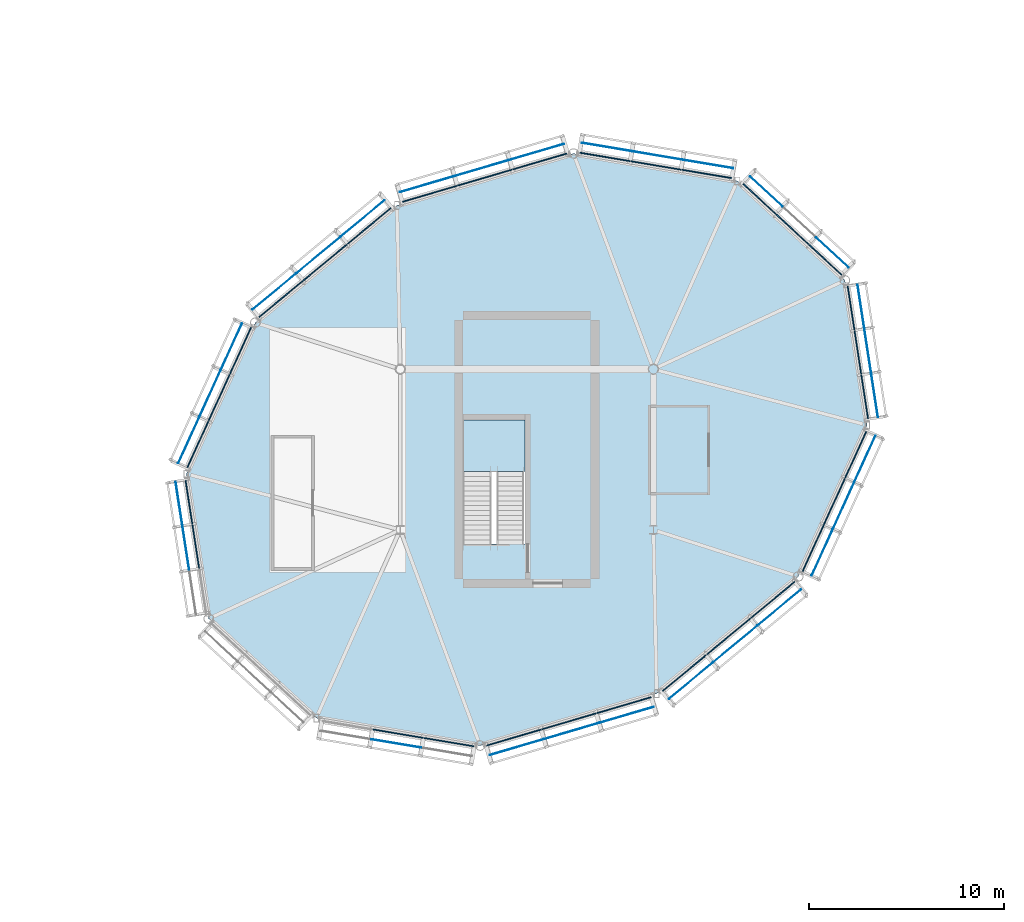
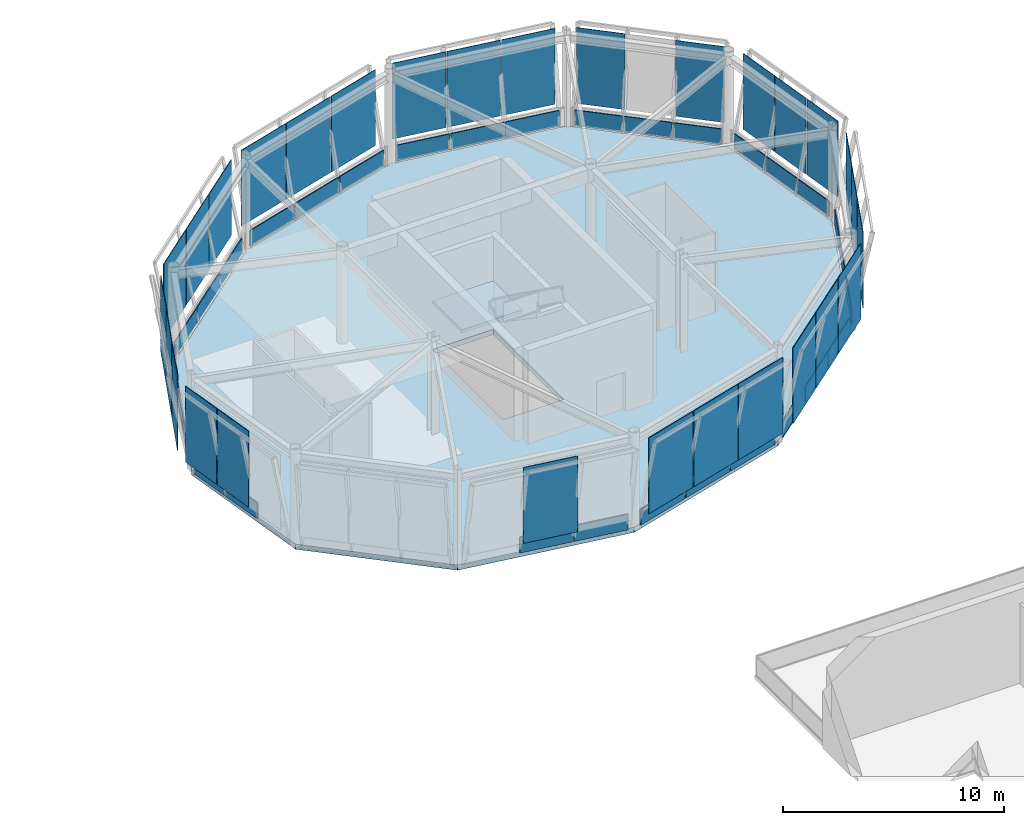
# One storey, part 65 of 90: 60 plates, 2 slabs, 12 elements without a shape of their own.
"""IFC4 building model written with IfcOpenShell, lengths in metres."""

from ifc_helpers import new_model, si_unit, direction, frame, origin, origin_2d, place, context, subcontext, project, spatial, polyline, rectangle, outline, extrude, material, layer, layer_set, type_object, element, aggregate, save


model = new_model("IFC4")

# Units and contexts
model_context = context("Model", 3, precision=1e-05, world=origin(), true_north=direction((0.0, 1.0)))
body_context = subcontext(model_context, "Body", "Model", "MODEL_VIEW")
ifc_project = project(units=[si_unit("LENGTHUNIT", "METRE"), si_unit("AREAUNIT", "SQUARE_METRE"), si_unit("VOLUMEUNIT", "CUBIC_METRE"), si_unit("PLANEANGLEUNIT", "RADIAN"), si_unit("MASSUNIT", "GRAM", prefix="KILO")], contexts=[model_context])

# Site, building, storey
site_placement = place(None, origin())
site = spatial("IfcSite", under=ifc_project, at=site_placement, CompositionType="ELEMENT")
building_placement = place(site_placement, origin())
building = spatial("IfcBuilding", under=site, at=building_placement, Name="Linyun Crest Stadium", CompositionType="ELEMENT")
storey_placement = place(building_placement, frame((0.0, 0.0, 21.0)))
storey = spatial("IfcBuildingStorey", under=building, at=storey_placement, Name="L05", CompositionType="ELEMENT", Elevation=21.0)

# Slab
ifc_material_1 = material(Name="Concrete C40", Category="concrete")
ifc_layer_1 = layer(ifc_material_1, 0.280029296875)
ifc_layer_set_1 = layer_set([ifc_layer_1], Name="Concrete C40")
slab_type_1 = type_object("IfcSlabType", Name="FS05", PredefinedType="FLOOR", material=ifc_layer_set_1)
slab_1_placement = place(storey_placement, frame((0.0, 0.0, -0.280029296875)))
element("IfcSlab", 1, at=slab_1_placement, inside=storey, type_object=slab_type_1, Name="Slab FS05 V5 L05 59", PredefinedType="FLOOR", context=body_context, shape_type="SweptSolid", body=[
    extrude(outline(polyline([(89.8349609375, 93.31005859375), (84.31298828125, 98.416015625), (75.89404296875, 99.825927734375), (66.833984375, 97.1630859375), (59.55908203125, 91.139892578125), (56.02099609375, 83.3720703125), (57.1650390625, 75.93994140625), (62.68701171875, 70.833984375), (71.10595703125, 69.424072265625), (80.166015625, 72.0869140625), (87.44091796875, 78.110107421875), (90.97900390625, 85.8779296875), (89.8349609375, 93.31005859375)]), holes=[polyline([(70.22509765625, 79.77001953125), (70.22509765625, 86.14990234375), (73.39990234375, 86.14990234375), (73.39990234375, 79.77001953125), (70.22509765625, 79.77001953125)])]), origin(), (0.0, 0.0, 1.0), 0.280029296875),
])

# Curtain wall, plates
ifc_material_2 = material(Name="Verdigris steel and low-E curtain wall assembly", Category="steel")
curtain_wall_type = type_object("IfcCurtainWallType", Name="MCW04", PredefinedType="NOTDEFINED", material=ifc_material_2)
curtain_wall_1_placement = place(storey_placement, origin())
curtain_wall_1 = element("IfcCurtainWall", 2, at=curtain_wall_1_placement, inside=storey, type_object=curtain_wall_type, Name="CWR-049", PredefinedType="NOTDEFINED")
ifc_material_3 = material(Name="Acoustic laminated low-E broadcast glass", Category="glass")
ifc_layer_2 = layer(ifc_material_3, 0.030029296875)
ifc_layer_set_2 = layer_set([ifc_layer_2], Name="Acoustic laminated low-E broadcast glass")
plate_type_1 = type_object("IfcPlateType", Name="GP02", PredefinedType="CURTAIN_PANEL", material=ifc_layer_set_2)
plate_1_placement = place(storey_placement, frame((89.179931640625, 94.741943359375, 0.88232421875), z_axis=(0.0, 0.0, 1.0), x_axis=(-0.734298814372, 0.678826377811, 0.0)))
plate_1 = element("IfcPlate", 3, at=plate_1_placement, type_object=plate_type_1, Name="CWR-049 panel 1.2", PredefinedType="CURTAIN_PANEL", context=body_context, shape_type="SweptSolid", body=[
    extrude(rectangle(XDim=2.2568359375, YDim=0.030029296875, at=origin_2d()), origin(), (0.0, 0.0, 1.0), 4.1953125),
])
plate_2_placement = place(storey_placement, frame((85.7919921875, 97.8740234375, 0.88232421875), z_axis=(0.0, 0.0, 1.0), x_axis=(-0.734298814372, 0.678826377811, 0.0)))
plate_2 = element("IfcPlate", 4, at=plate_2_placement, type_object=plate_type_1, Name="CWR-049 panel 3.2", PredefinedType="CURTAIN_PANEL", context=body_context, shape_type="SweptSolid", body=[
    extrude(rectangle(XDim=2.2568359375, YDim=0.030029296875, at=origin_2d()), origin(), (0.0, 0.0, 1.0), 4.1953125),
])

curtain_wall_2_placement = place(storey_placement, origin())
curtain_wall_2 = element("IfcCurtainWall", 5, at=curtain_wall_2_placement, inside=storey, type_object=curtain_wall_type, Name="CWR-050", PredefinedType="NOTDEFINED")
plate_3_placement = place(storey_placement, frame((82.81298828125, 99.281982421875, 0.88232421875), z_axis=(0.0, 0.0, 1.0), x_axis=(-0.986282720763, 0.165064819767, 0.0)))
plate_3 = element("IfcPlate", 6, at=plate_3_placement, type_object=plate_type_1, Name="CWR-050 panel 1.2", PredefinedType="CURTAIN_PANEL", context=body_context, shape_type="SweptSolid", body=[
    extrude(rectangle(XDim=2.59521484375, YDim=0.030029296875, at=origin_2d()), origin(), (0.0, 0.0, 1.0), 4.1953125),
])
plate_4_placement = place(storey_placement, frame((80.2041015625, 99.718994140625, 0.88232421875), z_axis=(0.0, 0.0, 1.0), x_axis=(-0.986282720763, 0.165064819767, 0.0)))
plate_4 = element("IfcPlate", 7, at=plate_4_placement, type_object=plate_type_1, Name="CWR-050 panel 2.2", PredefinedType="CURTAIN_PANEL", context=body_context, shape_type="SweptSolid", body=[
    extrude(rectangle(XDim=2.59521484375, YDim=0.030029296875, at=origin_2d()), origin(), (0.0, 0.0, 1.0), 4.1953125),
])
plate_5_placement = place(storey_placement, frame((77.594970703125, 100.156005859375, 0.88232421875), z_axis=(0.0, 0.0, 1.0), x_axis=(-0.986282720763, 0.165064819767, 0.0)))
plate_5 = element("IfcPlate", 8, at=plate_5_placement, type_object=plate_type_1, Name="CWR-050 panel 3.2", PredefinedType="CURTAIN_PANEL", context=body_context, shape_type="SweptSolid", body=[
    extrude(rectangle(XDim=2.59521484375, YDim=0.030029296875, at=origin_2d()), origin(), (0.0, 0.0, 1.0), 4.1953125),
])

curtain_wall_3_placement = place(storey_placement, origin())
curtain_wall_3 = element("IfcCurtainWall", 9, at=curtain_wall_3_placement, inside=storey, type_object=curtain_wall_type, Name="CWR-051", PredefinedType="NOTDEFINED")
plate_6_placement = place(storey_placement, frame((74.02099609375, 99.906982421875, 0.88232421875), z_axis=(0.0, 0.0, 1.0), x_axis=(-0.959437077917, -0.281922850294, 0.0)))
plate_6 = element("IfcPlate", 10, at=plate_6_placement, type_object=plate_type_1, Name="CWR-051 panel 1.2", PredefinedType="CURTAIN_PANEL", context=body_context, shape_type="SweptSolid", body=[
    extrude(rectangle(XDim=2.897705078125, YDim=0.030029296875, at=origin_2d()), origin(), (0.0, 0.0, 1.0), 4.1953125),
])
plate_7_placement = place(storey_placement, frame((71.193115234375, 99.075927734375, 0.88232421875), z_axis=(0.0, 0.0, 1.0), x_axis=(-0.959437077917, -0.281922850294, 0.0)))
plate_7 = element("IfcPlate", 11, at=plate_7_placement, type_object=plate_type_1, Name="CWR-051 panel 2.2", PredefinedType="CURTAIN_PANEL", context=body_context, shape_type="SweptSolid", body=[
    extrude(rectangle(XDim=2.897705078125, YDim=0.030029296875, at=origin_2d()), origin(), (0.0, 0.0, 1.0), 4.1953125),
])
plate_8_placement = place(storey_placement, frame((68.364990234375, 98.2451171875, 0.88232421875), z_axis=(0.0, 0.0, 1.0), x_axis=(-0.959437077917, -0.281922850294, 0.0)))
plate_8 = element("IfcPlate", 12, at=plate_8_placement, type_object=plate_type_1, Name="CWR-051 panel 3.2", PredefinedType="CURTAIN_PANEL", context=body_context, shape_type="SweptSolid", body=[
    extrude(rectangle(XDim=2.897705078125, YDim=0.030029296875, at=origin_2d()), origin(), (0.0, 0.0, 1.0), 4.1953125),
])

curtain_wall_4_placement = place(storey_placement, origin())
curtain_wall_4 = element("IfcCurtainWall", 13, at=curtain_wall_4_placement, inside=storey, type_object=curtain_wall_type, Name="CWR-052", PredefinedType="NOTDEFINED")
plate_9_placement = place(storey_placement, frame((65.0810546875, 96.4990234375, 0.88232421875), z_axis=(0.0, 0.0, 1.0), x_axis=(-0.77024617165, -0.637746685651, 0.0)))
plate_9 = element("IfcPlate", 14, at=plate_9_placement, type_object=plate_type_1, Name="CWR-052 panel 1.2", PredefinedType="CURTAIN_PANEL", context=body_context, shape_type="SweptSolid", body=[
    extrude(rectangle(XDim=2.8984375, YDim=0.030029296875, at=origin_2d()), origin(), (0.0, 0.0, 1.0), 4.1953125),
])
plate_10_placement = place(storey_placement, frame((62.81005859375, 94.617919921875, 0.88232421875), z_axis=(0.0, 0.0, 1.0), x_axis=(-0.77024617165, -0.637746685651, 0.0)))
plate_10 = element("IfcPlate", 15, at=plate_10_placement, type_object=plate_type_1, Name="CWR-052 panel 2.2", PredefinedType="CURTAIN_PANEL", context=body_context, shape_type="SweptSolid", body=[
    extrude(rectangle(XDim=2.8984375, YDim=0.030029296875, at=origin_2d()), origin(), (0.0, 0.0, 1.0), 4.1953125),
])
plate_11_placement = place(storey_placement, frame((60.5390625, 92.738037109375, 0.88232421875), z_axis=(0.0, 0.0, 1.0), x_axis=(-0.77024617165, -0.637746685651, 0.0)))
plate_11 = element("IfcPlate", 16, at=plate_11_placement, type_object=plate_type_1, Name="CWR-052 panel 3.2", PredefinedType="CURTAIN_PANEL", context=body_context, shape_type="SweptSolid", body=[
    extrude(rectangle(XDim=2.8984375, YDim=0.030029296875, at=origin_2d()), origin(), (0.0, 0.0, 1.0), 4.1953125),
])

curtain_wall_5_placement = place(storey_placement, origin())
curtain_wall_5 = element("IfcCurtainWall", 17, at=curtain_wall_5_placement, inside=storey, type_object=curtain_wall_type, Name="CWR-053", PredefinedType="NOTDEFINED")
plate_12_placement = place(storey_placement, frame((58.3349609375, 89.9150390625, 0.88232421875), z_axis=(0.0, 0.0, 1.0), x_axis=(-0.414566184052, -0.910019164106, 0.0)))
plate_12 = element("IfcPlate", 18, at=plate_12_placement, type_object=plate_type_1, Name="CWR-053 panel 1.2", PredefinedType="CURTAIN_PANEL", context=body_context, shape_type="SweptSolid", body=[
    extrude(rectangle(XDim=2.595458984375, YDim=0.030029296875, at=origin_2d()), origin(), (0.0, 0.0, 1.0), 4.1953125),
])
plate_13_placement = place(storey_placement, frame((57.238037109375, 87.507080078125, 0.88232421875), z_axis=(0.0, 0.0, 1.0), x_axis=(-0.414566184052, -0.910019164106, 0.0)))
plate_13 = element("IfcPlate", 19, at=plate_13_placement, type_object=plate_type_1, Name="CWR-053 panel 2.2", PredefinedType="CURTAIN_PANEL", context=body_context, shape_type="SweptSolid", body=[
    extrude(rectangle(XDim=2.595458984375, YDim=0.030029296875, at=origin_2d()), origin(), (0.0, 0.0, 1.0), 4.1953125),
])
plate_14_placement = place(storey_placement, frame((56.14208984375, 85.10009765625, 0.88232421875), z_axis=(0.0, 0.0, 1.0), x_axis=(-0.414566184052, -0.910019164106, 0.0)))
plate_14 = element("IfcPlate", 20, at=plate_14_placement, type_object=plate_type_1, Name="CWR-053 panel 3.2", PredefinedType="CURTAIN_PANEL", context=body_context, shape_type="SweptSolid", body=[
    extrude(rectangle(XDim=2.595458984375, YDim=0.030029296875, at=origin_2d()), origin(), (0.0, 0.0, 1.0), 4.1953125),
])

curtain_wall_6_placement = place(storey_placement, origin())
curtain_wall_6 = element("IfcCurtainWall", 21, at=curtain_wall_6_placement, inside=storey, type_object=curtain_wall_type, Name="CWR-054", PredefinedType="NOTDEFINED")
plate_15_placement = place(storey_placement, frame((55.64306640625, 81.843017578125, 0.88232421875), z_axis=(0.0, 0.0, 1.0), x_axis=(0.152054385169, -0.988372128275, 0.0)))
plate_15 = element("IfcPlate", 22, at=plate_15_placement, type_object=plate_type_1, Name="CWR-054 panel 1.2", PredefinedType="CURTAIN_PANEL", context=body_context, shape_type="SweptSolid", body=[
    extrude(rectangle(XDim=2.256103515625, YDim=0.030029296875, at=origin_2d()), origin(), (0.0, 0.0, 1.0), 4.1953125),
])
plate_16_placement = place(storey_placement, frame((55.993896484375, 79.56396484375, 0.88232421875), z_axis=(0.0, 0.0, 1.0), x_axis=(0.152054385169, -0.988372128275, 0.0)))
plate_16 = element("IfcPlate", 23, at=plate_16_placement, type_object=plate_type_1, Name="CWR-054 panel 2.2", PredefinedType="CURTAIN_PANEL", context=body_context, shape_type="SweptSolid", body=[
    extrude(rectangle(XDim=2.256103515625, YDim=0.030029296875, at=origin_2d()), origin(), (0.0, 0.0, 1.0), 4.1953125),
])

# Curtain wall, plate
curtain_wall_7_placement = place(storey_placement, origin())
curtain_wall_7 = element("IfcCurtainWall", 24, at=curtain_wall_7_placement, inside=storey, type_object=curtain_wall_type, Name="CWR-056", PredefinedType="NOTDEFINED")
plate_17_placement = place(storey_placement, frame((66.7958984375, 69.531005859375, 0.88232421875), z_axis=(0.0, 0.0, 1.0), x_axis=(0.986282720763, -0.165064819767, 0.0)))
plate_17 = element("IfcPlate", 25, at=plate_17_placement, type_object=plate_type_1, Name="CWR-056 panel 2.2", PredefinedType="CURTAIN_PANEL", context=body_context, shape_type="SweptSolid", body=[
    extrude(rectangle(XDim=2.59521484375, YDim=0.030029296875, at=origin_2d()), origin(), (0.0, 0.0, 1.0), 4.1953125),
])

# Curtain wall, plates
curtain_wall_8_placement = place(storey_placement, origin())
curtain_wall_8 = element("IfcCurtainWall", 26, at=curtain_wall_8_placement, inside=storey, type_object=curtain_wall_type, Name="CWR-057", PredefinedType="NOTDEFINED")
plate_18_placement = place(storey_placement, frame((72.97900390625, 69.343017578125, 0.88232421875), z_axis=(0.0, 0.0, 1.0), x_axis=(0.959437077917, 0.281922850294, 0.0)))
plate_18 = element("IfcPlate", 27, at=plate_18_placement, type_object=plate_type_1, Name="CWR-057 panel 1.2", PredefinedType="CURTAIN_PANEL", context=body_context, shape_type="SweptSolid", body=[
    extrude(rectangle(XDim=2.897705078125, YDim=0.030029296875, at=origin_2d()), origin(), (0.0, 0.0, 1.0), 4.1953125),
])
plate_19_placement = place(storey_placement, frame((75.806884765625, 70.174072265625, 0.88232421875), z_axis=(0.0, 0.0, 1.0), x_axis=(0.959437077917, 0.281922850294, 0.0)))
plate_19 = element("IfcPlate", 28, at=plate_19_placement, type_object=plate_type_1, Name="CWR-057 panel 2.2", PredefinedType="CURTAIN_PANEL", context=body_context, shape_type="SweptSolid", body=[
    extrude(rectangle(XDim=2.897705078125, YDim=0.030029296875, at=origin_2d()), origin(), (0.0, 0.0, 1.0), 4.1953125),
])
plate_20_placement = place(storey_placement, frame((78.635009765625, 71.0048828125, 0.88232421875), z_axis=(0.0, 0.0, 1.0), x_axis=(0.959437077917, 0.281922850294, 0.0)))
plate_20 = element("IfcPlate", 29, at=plate_20_placement, type_object=plate_type_1, Name="CWR-057 panel 3.2", PredefinedType="CURTAIN_PANEL", context=body_context, shape_type="SweptSolid", body=[
    extrude(rectangle(XDim=2.897705078125, YDim=0.030029296875, at=origin_2d()), origin(), (0.0, 0.0, 1.0), 4.1953125),
])

curtain_wall_9_placement = place(storey_placement, origin())
curtain_wall_9 = element("IfcCurtainWall", 30, at=curtain_wall_9_placement, inside=storey, type_object=curtain_wall_type, Name="CWR-058", PredefinedType="NOTDEFINED")
plate_21_placement = place(storey_placement, frame((81.9189453125, 72.7509765625, 0.88232421875), z_axis=(0.0, 0.0, 1.0), x_axis=(0.77024617165, 0.637746685651, 0.0)))
plate_21 = element("IfcPlate", 31, at=plate_21_placement, type_object=plate_type_1, Name="CWR-058 panel 1.2", PredefinedType="CURTAIN_PANEL", context=body_context, shape_type="SweptSolid", body=[
    extrude(rectangle(XDim=2.8984375, YDim=0.030029296875, at=origin_2d()), origin(), (0.0, 0.0, 1.0), 4.1953125),
])
plate_22_placement = place(storey_placement, frame((84.18994140625, 74.632080078125, 0.88232421875), z_axis=(0.0, 0.0, 1.0), x_axis=(0.77024617165, 0.637746685651, 0.0)))
plate_22 = element("IfcPlate", 32, at=plate_22_placement, type_object=plate_type_1, Name="CWR-058 panel 2.2", PredefinedType="CURTAIN_PANEL", context=body_context, shape_type="SweptSolid", body=[
    extrude(rectangle(XDim=2.8984375, YDim=0.030029296875, at=origin_2d()), origin(), (0.0, 0.0, 1.0), 4.1953125),
])
plate_23_placement = place(storey_placement, frame((86.4609375, 76.511962890625, 0.88232421875), z_axis=(0.0, 0.0, 1.0), x_axis=(0.77024617165, 0.637746685651, 0.0)))
plate_23 = element("IfcPlate", 33, at=plate_23_placement, type_object=plate_type_1, Name="CWR-058 panel 3.2", PredefinedType="CURTAIN_PANEL", context=body_context, shape_type="SweptSolid", body=[
    extrude(rectangle(XDim=2.8984375, YDim=0.030029296875, at=origin_2d()), origin(), (0.0, 0.0, 1.0), 4.1953125),
])

curtain_wall_10_placement = place(storey_placement, origin())
curtain_wall_10 = element("IfcCurtainWall", 34, at=curtain_wall_10_placement, inside=storey, type_object=curtain_wall_type, Name="CWR-059", PredefinedType="NOTDEFINED")
plate_24_placement = place(storey_placement, frame((88.6650390625, 79.3349609375, 0.88232421875), z_axis=(0.0, 0.0, 1.0), x_axis=(0.414566184052, 0.910019164106, 0.0)))
plate_24 = element("IfcPlate", 35, at=plate_24_placement, type_object=plate_type_1, Name="CWR-059 panel 1.2", PredefinedType="CURTAIN_PANEL", context=body_context, shape_type="SweptSolid", body=[
    extrude(rectangle(XDim=2.595458984375, YDim=0.030029296875, at=origin_2d()), origin(), (0.0, 0.0, 1.0), 4.1953125),
])
plate_25_placement = place(storey_placement, frame((89.761962890625, 81.742919921875, 0.88232421875), z_axis=(0.0, 0.0, 1.0), x_axis=(0.414566184052, 0.910019164106, 0.0)))
plate_25 = element("IfcPlate", 36, at=plate_25_placement, type_object=plate_type_1, Name="CWR-059 panel 2.2", PredefinedType="CURTAIN_PANEL", context=body_context, shape_type="SweptSolid", body=[
    extrude(rectangle(XDim=2.595458984375, YDim=0.030029296875, at=origin_2d()), origin(), (0.0, 0.0, 1.0), 4.1953125),
])
plate_26_placement = place(storey_placement, frame((90.85791015625, 84.14990234375, 0.88232421875), z_axis=(0.0, 0.0, 1.0), x_axis=(0.414566184052, 0.910019164106, 0.0)))
plate_26 = element("IfcPlate", 37, at=plate_26_placement, type_object=plate_type_1, Name="CWR-059 panel 3.2", PredefinedType="CURTAIN_PANEL", context=body_context, shape_type="SweptSolid", body=[
    extrude(rectangle(XDim=2.595458984375, YDim=0.030029296875, at=origin_2d()), origin(), (0.0, 0.0, 1.0), 4.1953125),
])

curtain_wall_11_placement = place(storey_placement, origin())
curtain_wall_11 = element("IfcCurtainWall", 38, at=curtain_wall_11_placement, inside=storey, type_object=curtain_wall_type, Name="CWR-060", PredefinedType="NOTDEFINED")
plate_27_placement = place(storey_placement, frame((91.35693359375, 87.406982421875, 0.88232421875), z_axis=(0.0, 0.0, 1.0), x_axis=(-0.152054385169, 0.988372128275, 0.0)))
plate_27 = element("IfcPlate", 39, at=plate_27_placement, type_object=plate_type_1, Name="CWR-060 panel 1.2", PredefinedType="CURTAIN_PANEL", context=body_context, shape_type="SweptSolid", body=[
    extrude(rectangle(XDim=2.256103515625, YDim=0.030029296875, at=origin_2d()), origin(), (0.0, 0.0, 1.0), 4.1953125),
])
plate_28_placement = place(storey_placement, frame((91.006103515625, 89.68603515625, 0.88232421875), z_axis=(0.0, 0.0, 1.0), x_axis=(-0.152054385169, 0.988372128275, 0.0)))
plate_28 = element("IfcPlate", 40, at=plate_28_placement, type_object=plate_type_1, Name="CWR-060 panel 2.2", PredefinedType="CURTAIN_PANEL", context=body_context, shape_type="SweptSolid", body=[
    extrude(rectangle(XDim=2.256103515625, YDim=0.030029296875, at=origin_2d()), origin(), (0.0, 0.0, 1.0), 4.1953125),
])
plate_29_placement = place(storey_placement, frame((90.656005859375, 91.966064453125, 0.88232421875), z_axis=(0.0, 0.0, 1.0), x_axis=(-0.152054385169, 0.988372128275, 0.0)))
plate_29 = element("IfcPlate", 41, at=plate_29_placement, type_object=plate_type_1, Name="CWR-060 panel 3.2", PredefinedType="CURTAIN_PANEL", context=body_context, shape_type="SweptSolid", body=[
    extrude(rectangle(XDim=2.256103515625, YDim=0.030029296875, at=origin_2d()), origin(), (0.0, 0.0, 1.0), 4.1953125),
])

# Stair, slab
ifc_material_4 = material(Name="Concrete C40", Category="concrete")
stair_type = type_object("IfcStairType", Name="STA02", PredefinedType="HALF_TURN_STAIR", material=ifc_material_4)
stair_placement = place(storey_placement, origin())
stair = element("IfcStair", 42, at=stair_placement, inside=storey, type_object=stair_type, Name="Evacuation stair STR-12-L05", PredefinedType="HALF_TURN_STAIR")
ifc_material_5 = material(Name="Concrete C40", Category="concrete")
ifc_layer_3 = layer(ifc_material_5, 0.179931640625)
ifc_layer_set_3 = layer_set([ifc_layer_3], Name="Concrete C40")
slab_type_2 = type_object("IfcSlabType", Name="LS01", PredefinedType="LANDING", material=ifc_layer_set_3)
slab_2_placement = place(storey_placement, frame((0.0, 0.0, 2.52001953125)))
slab_2 = element("IfcSlab", 43, at=slab_2_placement, type_object=slab_type_2, Name="STR-12-L05 half-landing", PredefinedType="LANDING", context=body_context, shape_type="SweptSolid", body=[
    extrude(outline(polyline([(70.22509765625, 83.489990234375), (73.39990234375, 83.489990234375), (73.39990234375, 86.14990234375), (70.22509765625, 86.14990234375), (70.22509765625, 83.489990234375)])), origin(), (0.0, 0.0, 1.0), 0.179931640625),
])
aggregate(stair, [slab_2])

# Plate
ifc_material_6 = material(Name="Verdigris enamelled metal insulated spandrel")
ifc_layer_4 = layer(ifc_material_6, 0.053955078125)
ifc_layer_set_4 = layer_set([ifc_layer_4], Name="Verdigris enamelled metal insulated spandrel")
plate_type_2 = type_object("IfcPlateType", Name="SP03", PredefinedType="SHEET", material=ifc_layer_set_4)
plate_30_placement = place(storey_placement, frame((88.830078125, 94.364013671875, 0.015625), z_axis=(0.0, 0.0, 1.0), x_axis=(-0.734298814372, 0.678826377811, 0.0)))
plate_30 = element("IfcPlate", 44, at=plate_30_placement, type_object=plate_type_2, Name="CWR-049 panel 1.1", PredefinedType="SHEET", context=body_context, shape_type="SweptSolid", body=[
    extrude(rectangle(XDim=2.2568359375, YDim=0.053955078125, at=origin_2d()), origin(), (0.0, 0.0, 1.0), 0.868408203125),
])

plate_31_placement = place(storey_placement, frame((87.135986328125, 95.929931640625, 0.015625), z_axis=(0.0, 0.0, 1.0), x_axis=(-0.734298814372, 0.678826377811, 0.0)))
plate_31 = element("IfcPlate", 45, at=plate_31_placement, type_object=plate_type_2, Name="CWR-049 panel 2.1", PredefinedType="SHEET", context=body_context, shape_type="SweptSolid", body=[
    extrude(rectangle(XDim=2.2568359375, YDim=0.053955078125, at=origin_2d()), origin(), (0.0, 0.0, 1.0), 0.868408203125),
])

plate_32_placement = place(storey_placement, frame((85.44189453125, 97.49609375, 0.015625), z_axis=(0.0, 0.0, 1.0), x_axis=(-0.734298814372, 0.678826377811, 0.0)))
plate_32 = element("IfcPlate", 46, at=plate_32_placement, type_object=plate_type_2, Name="CWR-049 panel 3.1", PredefinedType="SHEET", context=body_context, shape_type="SweptSolid", body=[
    extrude(rectangle(XDim=2.2568359375, YDim=0.053955078125, at=origin_2d()), origin(), (0.0, 0.0, 1.0), 0.868408203125),
])

aggregate(curtain_wall_1, [plate_30, plate_1, plate_31, plate_32, plate_2])

plate_33_placement = place(storey_placement, frame((82.72802734375, 98.77490234375, 0.015625), z_axis=(0.0, 0.0, 1.0), x_axis=(-0.986282720763, 0.165064819767, 0.0)))
plate_33 = element("IfcPlate", 47, at=plate_33_placement, type_object=plate_type_2, Name="CWR-050 panel 1.1", PredefinedType="SHEET", context=body_context, shape_type="SweptSolid", body=[
    extrude(rectangle(XDim=2.59521484375, YDim=0.053955078125, at=origin_2d()), origin(), (0.0, 0.0, 1.0), 0.868408203125),
])

plate_34_placement = place(storey_placement, frame((80.118896484375, 99.2109375, 0.015625), z_axis=(0.0, 0.0, 1.0), x_axis=(-0.986282720763, 0.165064819767, 0.0)))
plate_34 = element("IfcPlate", 48, at=plate_34_placement, type_object=plate_type_2, Name="CWR-050 panel 2.1", PredefinedType="SHEET", context=body_context, shape_type="SweptSolid", body=[
    extrude(rectangle(XDim=2.59521484375, YDim=0.053955078125, at=origin_2d()), origin(), (0.0, 0.0, 1.0), 0.868408203125),
])

plate_35_placement = place(storey_placement, frame((77.510009765625, 99.64794921875, 0.015625), z_axis=(0.0, 0.0, 1.0), x_axis=(-0.986282720763, 0.165064819767, 0.0)))
plate_35 = element("IfcPlate", 49, at=plate_35_placement, type_object=plate_type_2, Name="CWR-050 panel 3.1", PredefinedType="SHEET", context=body_context, shape_type="SweptSolid", body=[
    extrude(rectangle(XDim=2.59521484375, YDim=0.053955078125, at=origin_2d()), origin(), (0.0, 0.0, 1.0), 0.868408203125),
])

aggregate(curtain_wall_2, [plate_33, plate_3, plate_34, plate_4, plate_35, plate_5])

plate_36_placement = place(storey_placement, frame((74.166015625, 99.4130859375, 0.015625), z_axis=(0.0, 0.0, 1.0), x_axis=(-0.959437077917, -0.281922850294, 0.0)))
plate_36 = element("IfcPlate", 50, at=plate_36_placement, type_object=plate_type_2, Name="CWR-051 panel 1.1", PredefinedType="SHEET", context=body_context, shape_type="SweptSolid", body=[
    extrude(rectangle(XDim=2.897705078125, YDim=0.053955078125, at=origin_2d()), origin(), (0.0, 0.0, 1.0), 0.868408203125),
])

plate_37_placement = place(storey_placement, frame((71.337890625, 98.58203125, 0.015625), z_axis=(0.0, 0.0, 1.0), x_axis=(-0.959437077917, -0.281922850294, 0.0)))
plate_37 = element("IfcPlate", 51, at=plate_37_placement, type_object=plate_type_2, Name="CWR-051 panel 2.1", PredefinedType="SHEET", context=body_context, shape_type="SweptSolid", body=[
    extrude(rectangle(XDim=2.897705078125, YDim=0.053955078125, at=origin_2d()), origin(), (0.0, 0.0, 1.0), 0.868408203125),
])

plate_38_placement = place(storey_placement, frame((68.510009765625, 97.7509765625, 0.015625), z_axis=(0.0, 0.0, 1.0), x_axis=(-0.959437077917, -0.281922850294, 0.0)))
plate_38 = element("IfcPlate", 52, at=plate_38_placement, type_object=plate_type_2, Name="CWR-051 panel 3.1", PredefinedType="SHEET", context=body_context, shape_type="SweptSolid", body=[
    extrude(rectangle(XDim=2.897705078125, YDim=0.053955078125, at=origin_2d()), origin(), (0.0, 0.0, 1.0), 0.868408203125),
])

aggregate(curtain_wall_3, [plate_36, plate_6, plate_37, plate_7, plate_38, plate_8])

plate_39_placement = place(storey_placement, frame((65.408935546875, 96.10205078125, 0.015625), z_axis=(0.0, 0.0, 1.0), x_axis=(-0.77024617165, -0.637746685651, 0.0)))
plate_39 = element("IfcPlate", 53, at=plate_39_placement, type_object=plate_type_2, Name="CWR-052 panel 1.1", PredefinedType="SHEET", context=body_context, shape_type="SweptSolid", body=[
    extrude(rectangle(XDim=2.8984375, YDim=0.053955078125, at=origin_2d()), origin(), (0.0, 0.0, 1.0), 0.868408203125),
])

plate_40_placement = place(storey_placement, frame((63.137939453125, 94.221923828125, 0.015625), z_axis=(0.0, 0.0, 1.0), x_axis=(-0.77024617165, -0.637746685651, 0.0)))
plate_40 = element("IfcPlate", 54, at=plate_40_placement, type_object=plate_type_2, Name="CWR-052 panel 2.1", PredefinedType="SHEET", context=body_context, shape_type="SweptSolid", body=[
    extrude(rectangle(XDim=2.8984375, YDim=0.053955078125, at=origin_2d()), origin(), (0.0, 0.0, 1.0), 0.868408203125),
])

plate_41_placement = place(storey_placement, frame((60.866943359375, 92.342041015625, 0.015625), z_axis=(0.0, 0.0, 1.0), x_axis=(-0.77024617165, -0.637746685651, 0.0)))
plate_41 = element("IfcPlate", 55, at=plate_41_placement, type_object=plate_type_2, Name="CWR-052 panel 3.1", PredefinedType="SHEET", context=body_context, shape_type="SweptSolid", body=[
    extrude(rectangle(XDim=2.8984375, YDim=0.053955078125, at=origin_2d()), origin(), (0.0, 0.0, 1.0), 0.868408203125),
])

aggregate(curtain_wall_4, [plate_39, plate_9, plate_40, plate_10, plate_41, plate_11])

plate_42_placement = place(storey_placement, frame((58.802978515625, 89.700927734375, 0.015625), z_axis=(0.0, 0.0, 1.0), x_axis=(-0.414566184052, -0.910019164106, 0.0)))
plate_42 = element("IfcPlate", 56, at=plate_42_placement, type_object=plate_type_2, Name="CWR-053 panel 1.1", PredefinedType="SHEET", context=body_context, shape_type="SweptSolid", body=[
    extrude(rectangle(XDim=2.595458984375, YDim=0.053955078125, at=origin_2d()), origin(), (0.0, 0.0, 1.0), 0.868408203125),
])

plate_43_placement = place(storey_placement, frame((57.70703125, 87.2939453125, 0.015625), z_axis=(0.0, 0.0, 1.0), x_axis=(-0.414566184052, -0.910019164106, 0.0)))
plate_43 = element("IfcPlate", 57, at=plate_43_placement, type_object=plate_type_2, Name="CWR-053 panel 2.1", PredefinedType="SHEET", context=body_context, shape_type="SweptSolid", body=[
    extrude(rectangle(XDim=2.595458984375, YDim=0.053955078125, at=origin_2d()), origin(), (0.0, 0.0, 1.0), 0.868408203125),
])

plate_44_placement = place(storey_placement, frame((56.610107421875, 84.886962890625, 0.015625), z_axis=(0.0, 0.0, 1.0), x_axis=(-0.414566184052, -0.910019164106, 0.0)))
plate_44 = element("IfcPlate", 58, at=plate_44_placement, type_object=plate_type_2, Name="CWR-053 panel 3.1", PredefinedType="SHEET", context=body_context, shape_type="SweptSolid", body=[
    extrude(rectangle(XDim=2.595458984375, YDim=0.053955078125, at=origin_2d()), origin(), (0.0, 0.0, 1.0), 0.868408203125),
])

aggregate(curtain_wall_5, [plate_42, plate_12, plate_43, plate_13, plate_44, plate_14])

plate_45_placement = place(storey_placement, frame((56.152099609375, 81.9208984375, 0.015625), z_axis=(0.0, 0.0, 1.0), x_axis=(0.152054385169, -0.988372128275, 0.0)))
plate_45 = element("IfcPlate", 59, at=plate_45_placement, type_object=plate_type_2, Name="CWR-054 panel 1.1", PredefinedType="SHEET", context=body_context, shape_type="SweptSolid", body=[
    extrude(rectangle(XDim=2.256103515625, YDim=0.053955078125, at=origin_2d()), origin(), (0.0, 0.0, 1.0), 0.868408203125),
])

plate_46_placement = place(storey_placement, frame((56.5029296875, 79.64208984375, 0.015625), z_axis=(0.0, 0.0, 1.0), x_axis=(0.152054385169, -0.988372128275, 0.0)))
plate_46 = element("IfcPlate", 60, at=plate_46_placement, type_object=plate_type_2, Name="CWR-054 panel 2.1", PredefinedType="SHEET", context=body_context, shape_type="SweptSolid", body=[
    extrude(rectangle(XDim=2.256103515625, YDim=0.053955078125, at=origin_2d()), origin(), (0.0, 0.0, 1.0), 0.868408203125),
])

aggregate(curtain_wall_6, [plate_45, plate_15, plate_46, plate_16])

plate_47_placement = place(storey_placement, frame((66.881103515625, 70.0390625, 0.015625), z_axis=(0.0, 0.0, 1.0), x_axis=(0.986282720763, -0.165064819767, 0.0)))
plate_47 = element("IfcPlate", 61, at=plate_47_placement, type_object=plate_type_2, Name="CWR-056 panel 2.1", PredefinedType="SHEET", context=body_context, shape_type="SweptSolid", body=[
    extrude(rectangle(XDim=2.59521484375, YDim=0.053955078125, at=origin_2d()), origin(), (0.0, 0.0, 1.0), 0.868408203125),
])

plate_48_placement = place(storey_placement, frame((69.489990234375, 69.60205078125, 0.015625), z_axis=(0.0, 0.0, 1.0), x_axis=(0.986282720763, -0.165064819767, 0.0)))
plate_48 = element("IfcPlate", 62, at=plate_48_placement, type_object=plate_type_2, Name="CWR-056 panel 3.1", PredefinedType="SHEET", context=body_context, shape_type="SweptSolid", body=[
    extrude(rectangle(XDim=2.59521484375, YDim=0.053955078125, at=origin_2d()), origin(), (0.0, 0.0, 1.0), 0.868408203125),
])

aggregate(curtain_wall_7, [plate_47, plate_17, plate_48])

plate_49_placement = place(storey_placement, frame((72.833984375, 69.8369140625, 0.015625), z_axis=(0.0, 0.0, 1.0), x_axis=(0.959437077917, 0.281922850294, 0.0)))
plate_49 = element("IfcPlate", 63, at=plate_49_placement, type_object=plate_type_2, Name="CWR-057 panel 1.1", PredefinedType="SHEET", context=body_context, shape_type="SweptSolid", body=[
    extrude(rectangle(XDim=2.897705078125, YDim=0.053955078125, at=origin_2d()), origin(), (0.0, 0.0, 1.0), 0.868408203125),
])

plate_50_placement = place(storey_placement, frame((75.662109375, 70.66796875, 0.015625), z_axis=(0.0, 0.0, 1.0), x_axis=(0.959437077917, 0.281922850294, 0.0)))
plate_50 = element("IfcPlate", 64, at=plate_50_placement, type_object=plate_type_2, Name="CWR-057 panel 2.1", PredefinedType="SHEET", context=body_context, shape_type="SweptSolid", body=[
    extrude(rectangle(XDim=2.897705078125, YDim=0.053955078125, at=origin_2d()), origin(), (0.0, 0.0, 1.0), 0.868408203125),
])

plate_51_placement = place(storey_placement, frame((78.489990234375, 71.4990234375, 0.015625), z_axis=(0.0, 0.0, 1.0), x_axis=(0.959437077917, 0.281922850294, 0.0)))
plate_51 = element("IfcPlate", 65, at=plate_51_placement, type_object=plate_type_2, Name="CWR-057 panel 3.1", PredefinedType="SHEET", context=body_context, shape_type="SweptSolid", body=[
    extrude(rectangle(XDim=2.897705078125, YDim=0.053955078125, at=origin_2d()), origin(), (0.0, 0.0, 1.0), 0.868408203125),
])

aggregate(curtain_wall_8, [plate_49, plate_18, plate_50, plate_19, plate_51, plate_20])

plate_52_placement = place(storey_placement, frame((81.591064453125, 73.14794921875, 0.015625), z_axis=(0.0, 0.0, 1.0), x_axis=(0.77024617165, 0.637746685651, 0.0)))
plate_52 = element("IfcPlate", 66, at=plate_52_placement, type_object=plate_type_2, Name="CWR-058 panel 1.1", PredefinedType="SHEET", context=body_context, shape_type="SweptSolid", body=[
    extrude(rectangle(XDim=2.8984375, YDim=0.053955078125, at=origin_2d()), origin(), (0.0, 0.0, 1.0), 0.868408203125),
])

plate_53_placement = place(storey_placement, frame((83.862060546875, 75.028076171875, 0.015625), z_axis=(0.0, 0.0, 1.0), x_axis=(0.77024617165, 0.637746685651, 0.0)))
plate_53 = element("IfcPlate", 67, at=plate_53_placement, type_object=plate_type_2, Name="CWR-058 panel 2.1", PredefinedType="SHEET", context=body_context, shape_type="SweptSolid", body=[
    extrude(rectangle(XDim=2.8984375, YDim=0.053955078125, at=origin_2d()), origin(), (0.0, 0.0, 1.0), 0.868408203125),
])

plate_54_placement = place(storey_placement, frame((86.133056640625, 76.907958984375, 0.015625), z_axis=(0.0, 0.0, 1.0), x_axis=(0.77024617165, 0.637746685651, 0.0)))
plate_54 = element("IfcPlate", 68, at=plate_54_placement, type_object=plate_type_2, Name="CWR-058 panel 3.1", PredefinedType="SHEET", context=body_context, shape_type="SweptSolid", body=[
    extrude(rectangle(XDim=2.8984375, YDim=0.053955078125, at=origin_2d()), origin(), (0.0, 0.0, 1.0), 0.868408203125),
])

aggregate(curtain_wall_9, [plate_52, plate_21, plate_53, plate_22, plate_54, plate_23])

plate_55_placement = place(storey_placement, frame((88.197021484375, 79.549072265625, 0.015625), z_axis=(0.0, 0.0, 1.0), x_axis=(0.414566184052, 0.910019164106, 0.0)))
plate_55 = element("IfcPlate", 69, at=plate_55_placement, type_object=plate_type_2, Name="CWR-059 panel 1.1", PredefinedType="SHEET", context=body_context, shape_type="SweptSolid", body=[
    extrude(rectangle(XDim=2.595458984375, YDim=0.053955078125, at=origin_2d()), origin(), (0.0, 0.0, 1.0), 0.868408203125),
])

plate_56_placement = place(storey_placement, frame((89.29296875, 81.9560546875, 0.015625), z_axis=(0.0, 0.0, 1.0), x_axis=(0.414566184052, 0.910019164106, 0.0)))
plate_56 = element("IfcPlate", 70, at=plate_56_placement, type_object=plate_type_2, Name="CWR-059 panel 2.1", PredefinedType="SHEET", context=body_context, shape_type="SweptSolid", body=[
    extrude(rectangle(XDim=2.595458984375, YDim=0.053955078125, at=origin_2d()), origin(), (0.0, 0.0, 1.0), 0.868408203125),
])

plate_57_placement = place(storey_placement, frame((90.389892578125, 84.363037109375, 0.015625), z_axis=(0.0, 0.0, 1.0), x_axis=(0.414566184052, 0.910019164106, 0.0)))
plate_57 = element("IfcPlate", 71, at=plate_57_placement, type_object=plate_type_2, Name="CWR-059 panel 3.1", PredefinedType="SHEET", context=body_context, shape_type="SweptSolid", body=[
    extrude(rectangle(XDim=2.595458984375, YDim=0.053955078125, at=origin_2d()), origin(), (0.0, 0.0, 1.0), 0.868408203125),
])

aggregate(curtain_wall_10, [plate_55, plate_24, plate_56, plate_25, plate_57, plate_26])

plate_58_placement = place(storey_placement, frame((90.847900390625, 87.3291015625, 0.015625), z_axis=(0.0, 0.0, 1.0), x_axis=(-0.152054385169, 0.988372128275, 0.0)))
plate_58 = element("IfcPlate", 72, at=plate_58_placement, type_object=plate_type_2, Name="CWR-060 panel 1.1", PredefinedType="SHEET", context=body_context, shape_type="SweptSolid", body=[
    extrude(rectangle(XDim=2.256103515625, YDim=0.053955078125, at=origin_2d()), origin(), (0.0, 0.0, 1.0), 0.868408203125),
])

plate_59_placement = place(storey_placement, frame((90.4970703125, 89.60791015625, 0.015625), z_axis=(0.0, 0.0, 1.0), x_axis=(-0.152054385169, 0.988372128275, 0.0)))
plate_59 = element("IfcPlate", 73, at=plate_59_placement, type_object=plate_type_2, Name="CWR-060 panel 2.1", PredefinedType="SHEET", context=body_context, shape_type="SweptSolid", body=[
    extrude(rectangle(XDim=2.256103515625, YDim=0.053955078125, at=origin_2d()), origin(), (0.0, 0.0, 1.0), 0.868408203125),
])

plate_60_placement = place(storey_placement, frame((90.14697265625, 91.886962890625, 0.015625), z_axis=(0.0, 0.0, 1.0), x_axis=(-0.152054385169, 0.988372128275, 0.0)))
plate_60 = element("IfcPlate", 74, at=plate_60_placement, type_object=plate_type_2, Name="CWR-060 panel 3.1", PredefinedType="SHEET", context=body_context, shape_type="SweptSolid", body=[
    extrude(rectangle(XDim=2.256103515625, YDim=0.053955078125, at=origin_2d()), origin(), (0.0, 0.0, 1.0), 0.868408203125),
])

aggregate(curtain_wall_11, [plate_58, plate_27, plate_59, plate_28, plate_60, plate_29])

save(model, "model.ifc")
